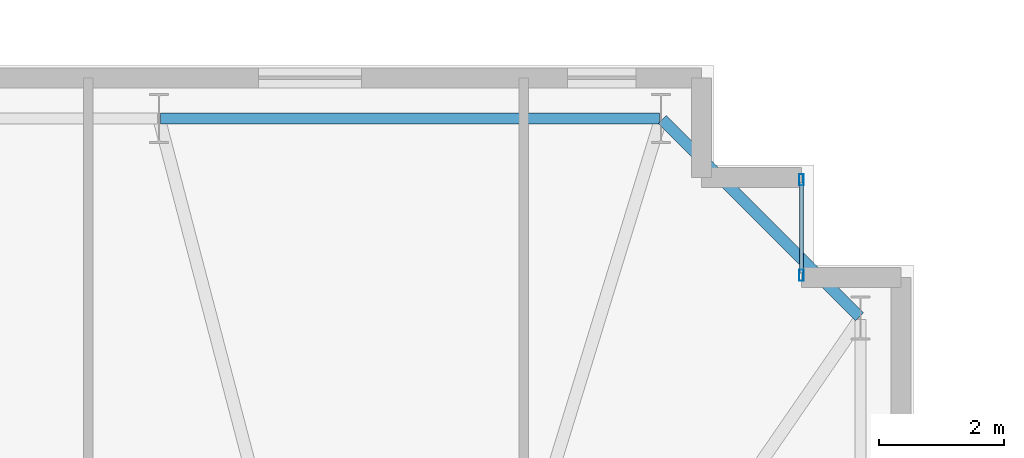
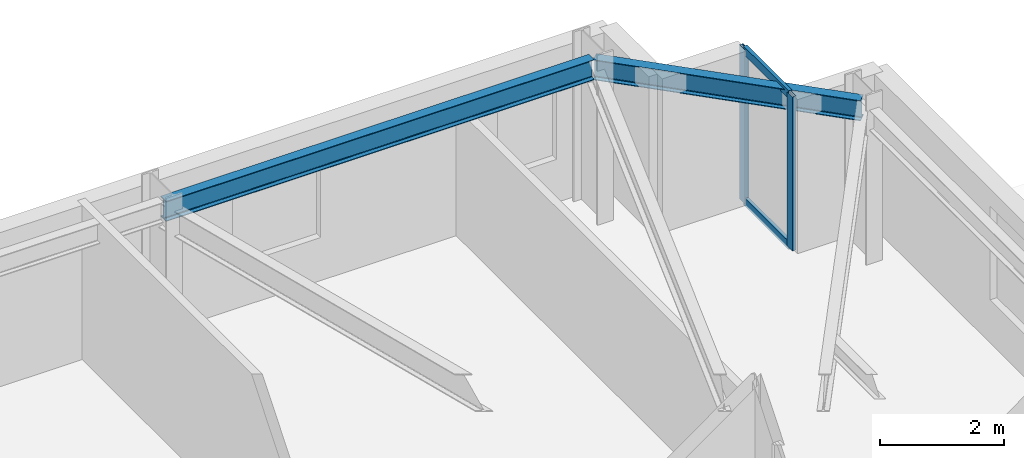
# One storey, part 10 of 18: 4 members, 2 beams, 1 element without a shape of its own.
"""IFC4 building model written with IfcOpenShell, lengths in metres."""

from ifc_helpers import new_model, si_unit, direction, frame, origin, origin_2d, place, context, subcontext, project, spatial, hollow_rectangle, i_section, extrude, material, layer, layer_set, material_profile, profile_set, type_object, element, aggregate, save


model = new_model("IFC4")

# Units and contexts
model_context = context("Model", 3, precision=1e-05, world=origin(), true_north=direction((0.0, 1.0)))
body_context = subcontext(model_context, "Body", "Model", "MODEL_VIEW")
ifc_project = project(units=[si_unit("LENGTHUNIT", "METRE"), si_unit("AREAUNIT", "SQUARE_METRE"), si_unit("VOLUMEUNIT", "CUBIC_METRE"), si_unit("PLANEANGLEUNIT", "RADIAN"), si_unit("MASSUNIT", "GRAM", prefix="KILO")], contexts=[model_context])

# Site, building, storey
site_placement = place(None, origin())
site = spatial("IfcSite", under=ifc_project, at=site_placement, CompositionType="ELEMENT")
building_placement = place(site_placement, origin())
building = spatial("IfcBuilding", under=site, at=building_placement, Name="Qobustan Lattice House", CompositionType="ELEMENT")
storey_placement = place(building_placement, frame((0.0, 0.0, 154.449951171875)))
storey = spatial("IfcBuildingStorey", under=building, at=storey_placement, Name="L43", CompositionType="ELEMENT", Elevation=154.449951171875)

# Beams
ifc_material_1 = material(Name="Steel S355", Category="steel")
ifc_material_profile_1 = material_profile(ifc_material_1, i_section(OverallWidth=0.179931640625, OverallDepth=0.39990234375, WebThickness=0.008544921875, FlangeThickness=0.013427734375, FilletRadius=0.02099609375, at=origin_2d()), Name="IPE400")
ifc_profile_set_1 = profile_set([ifc_material_profile_1], Name="Steel S355")
beam_type = type_object("IfcBeamType", Name="BM-SPD-IPE400", PredefinedType="SPANDREL", material=ifc_profile_set_1)
beam_1_placement = place(storey_placement, frame((26.332275390625, 16.567626953125, 2.840087890625), z_axis=(-0.707079505568, 0.707134055753, 0.0), x_axis=(-0.707134055753, -0.707079505568, 0.0)))
element("IfcBeam", 1, at=beam_1_placement, inside=storey, type_object=beam_type, Name="L43 perimeter spandrel E4-N1", PredefinedType="SPANDREL", context=body_context, shape_type="SweptSolid", body=[
    extrude(i_section(OverallWidth=0.179931640625, OverallDepth=0.39990234375, WebThickness=0.008544921875, FlangeThickness=0.013427734375, FilletRadius=0.02099609375, at=origin_2d()), origin(), (0.0, 0.0, 1.0), 4.4755859375),
])
beam_2_placement = place(storey_placement, frame((23.125, 19.75, 2.840087890625), z_axis=(-1.0, 0.0, 0.0), x_axis=(0.0, -1.0, 0.0)))
element("IfcBeam", 2, at=beam_2_placement, inside=storey, type_object=beam_type, Name="L43 perimeter spandrel N1-N2", PredefinedType="SPANDREL", context=body_context, shape_type="SweptSolid", body=[
    extrude(i_section(OverallWidth=0.179931640625, OverallDepth=0.39990234375, WebThickness=0.008544921875, FlangeThickness=0.013427734375, FilletRadius=0.02099609375, at=origin_2d()), origin(), (0.0, 0.0, 1.0), 8.0),
])

# Curtain wall, members
ifc_material_2 = material(Name="Anodised aluminium and low-E glazing", Category="aluminium")
ifc_layer = layer(ifc_material_2, 0.219970703125)
ifc_layer_set = layer_set([ifc_layer], Name="Anodised aluminium and low-E glazing")
curtain_wall_type = type_object("IfcCurtainWallType", Name="CW-FAC-02", PredefinedType="USERDEFINED", material=ifc_layer_set)
curtain_wall_placement = place(storey_placement, origin())
curtain_wall = element("IfcCurtainWall", 3, at=curtain_wall_placement, inside=storey, type_object=curtain_wall_type, Name="L43 serrated corner faceted glazing 13", ObjectType="CURTAIN WALL", PredefinedType="USERDEFINED")
ifc_material_3 = material(Name="Anodised aluminium EN AW-6063 T6", Category="aluminium")
ifc_material_profile_2 = material_profile(ifc_material_3, hollow_rectangle(XDim=0.070068359375, YDim=0.179931640625, WallThickness=0.00439453125, at=origin_2d()), Name="CWM-180x70")
ifc_profile_set_2 = profile_set([ifc_material_profile_2], Name="Anodised aluminium EN AW-6063 T6")
member_type_1 = type_object("IfcMemberType", Name="CWM-STD-180", PredefinedType="MULLION", material=ifc_profile_set_2)
member_1_placement = place(storey_placement, frame((25.39990234375, 18.764892578125, 0.0), z_axis=(0.0, 0.0, 1.0), x_axis=(1.0, 0.0, 0.0)))
member_1 = element("IfcMember", 4, at=member_1_placement, type_object=member_type_1, Name="CW-F2 mullion 1", PredefinedType="MULLION", context=body_context, shape_type="SweptSolid", body=[
    extrude(hollow_rectangle(XDim=0.070068359375, YDim=0.179931640625, WallThickness=0.00439453125, at=origin_2d()), origin(), (0.0, 0.0, 1.0), 3.0400390625),
])
member_2_placement = place(storey_placement, frame((25.39990234375, 17.235107421875, 0.0), z_axis=(0.0, 0.0, 1.0), x_axis=(1.0, 0.0, 0.0)))
member_2 = element("IfcMember", 5, at=member_2_placement, type_object=member_type_1, Name="CW-F2 mullion 2", PredefinedType="MULLION", context=body_context, shape_type="SweptSolid", body=[
    extrude(hollow_rectangle(XDim=0.070068359375, YDim=0.179931640625, WallThickness=0.00439453125, at=origin_2d()), origin(), (0.0, 0.0, 1.0), 3.0400390625),
])
ifc_material_4 = material(Name="Anodised aluminium EN AW-6063 T6", Category="aluminium")
ifc_material_profile_3 = material_profile(ifc_material_4, hollow_rectangle(XDim=0.06494140625, YDim=0.159912109375, WallThickness=0.00390625, at=origin_2d()), Name="CWT-160x65")
ifc_profile_set_3 = profile_set([ifc_material_profile_3], Name="Anodised aluminium EN AW-6063 T6")
member_type_2 = type_object("IfcMemberType", Name="CWT-HOR-160", PredefinedType="USERDEFINED", material=ifc_profile_set_3)
member_3_placement = place(storey_placement, frame((25.39990234375, 18.72998046875, 0.032470703125), z_axis=(0.0, -1.0, 0.0), x_axis=(1.0, 0.0, 0.0)))
member_3 = element("IfcMember", 6, at=member_3_placement, type_object=member_type_2, Name="CW-F2 transom 1.1", ObjectType="TRANSOM", PredefinedType="USERDEFINED", context=body_context, shape_type="SweptSolid", body=[
    extrude(hollow_rectangle(XDim=0.06494140625, YDim=0.159912109375, WallThickness=0.00390625, at=origin_2d()), origin(), (0.0, 0.0, 1.0), 1.4599609375),
])
member_4_placement = place(storey_placement, frame((25.39990234375, 18.72998046875, 3.007568359375), z_axis=(0.0, -1.0, 0.0), x_axis=(1.0, 0.0, 0.0)))
member_4 = element("IfcMember", 7, at=member_4_placement, type_object=member_type_2, Name="CW-F2 transom 1.2", ObjectType="TRANSOM", PredefinedType="USERDEFINED", context=body_context, shape_type="SweptSolid", body=[
    extrude(hollow_rectangle(XDim=0.06494140625, YDim=0.159912109375, WallThickness=0.00390625, at=origin_2d()), origin(), (0.0, 0.0, 1.0), 1.4599609375),
])
aggregate(curtain_wall, [member_1, member_2, member_3, member_4])

save(model, "model.ifc")
